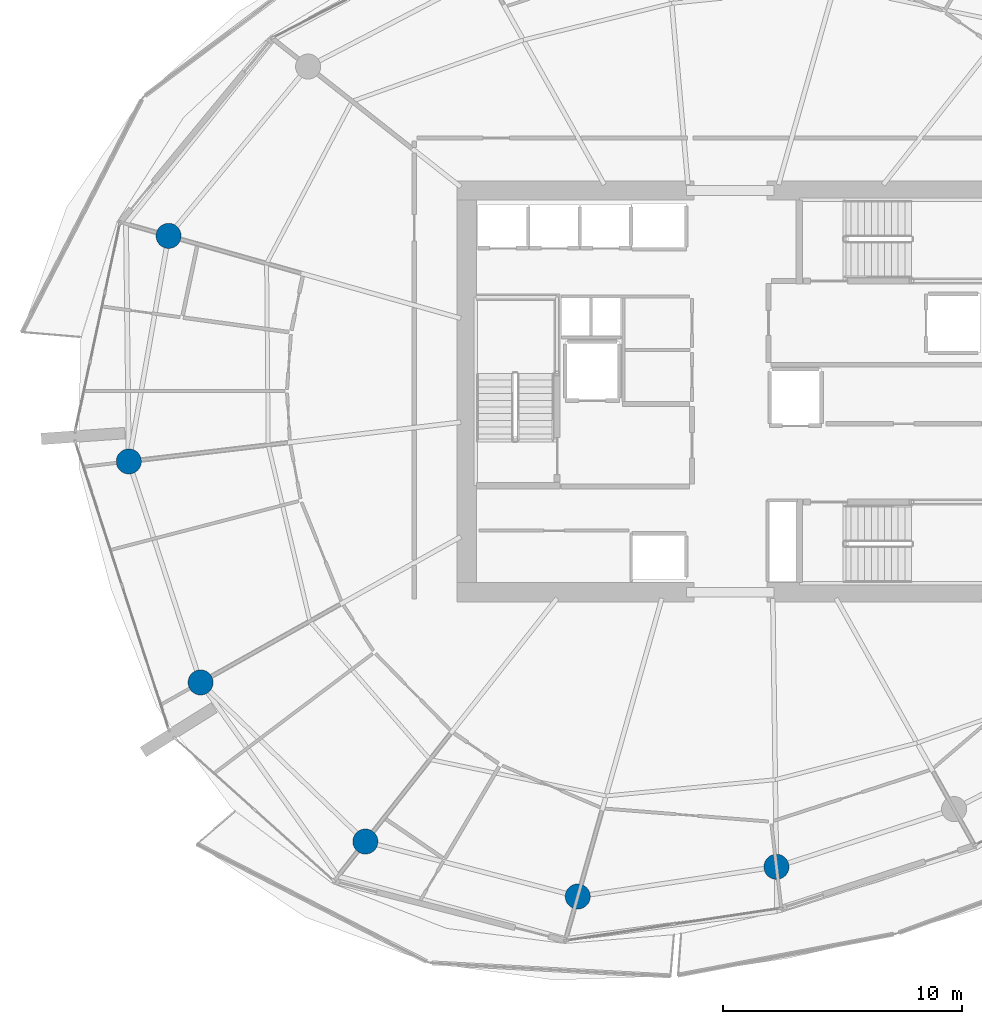
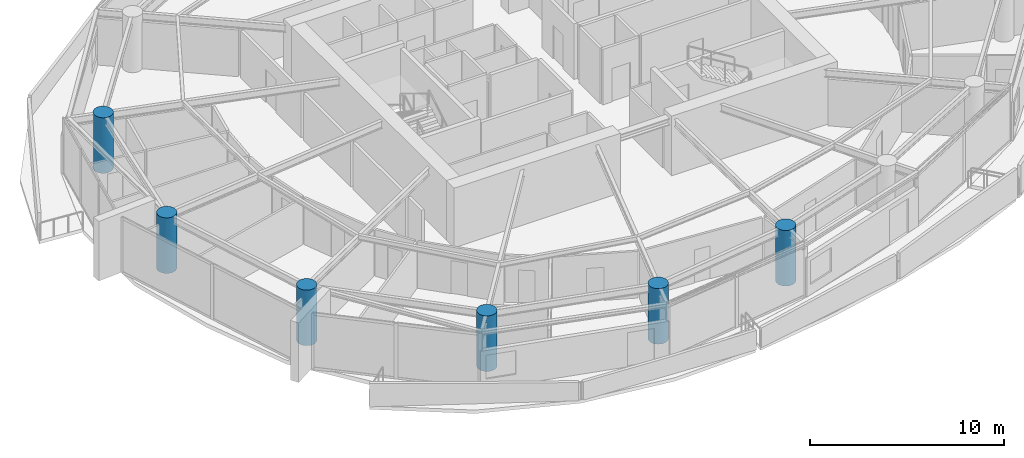
# One storey, part 1 of 20: 6 columns.
"""IFC4 building model written with IfcOpenShell, lengths in metres."""

from ifc_helpers import new_model, si_unit, direction, frame, origin, origin_2d, place, context, subcontext, project, spatial, circle, extrude, material, material_profile, profile_set, type_object, element, save


model = new_model("IFC4")

# Units and contexts
model_context = context("Model", 3, precision=1e-05, world=origin(), true_north=direction((0.0, 1.0)))
body_context = subcontext(model_context, "Body", "Model", "MODEL_VIEW")
ifc_project = project(units=[si_unit("LENGTHUNIT", "METRE"), si_unit("AREAUNIT", "SQUARE_METRE"), si_unit("VOLUMEUNIT", "CUBIC_METRE"), si_unit("PLANEANGLEUNIT", "RADIAN"), si_unit("MASSUNIT", "GRAM", prefix="KILO")], contexts=[model_context])

# Site, building, storey
site_placement = place(None, origin())
site = spatial("IfcSite", under=ifc_project, at=site_placement, CompositionType="ELEMENT")
building_placement = place(site_placement, origin())
building = spatial("IfcBuilding", under=site, at=building_placement, Name="Kazma Halo Residences", CompositionType="ELEMENT")
storey_placement = place(building_placement, frame((0.0, 0.0, 131.550048828125)))
storey = spatial("IfcBuildingStorey", under=building, at=storey_placement, Name="L32", CompositionType="ELEMENT", Elevation=131.550048828125)

# Columns
ifc_material = material(Name="Concrete C80/95", Category="concrete")
ifc_material_profile = material_profile(ifc_material, circle(Radius=0.52490234375, at=origin_2d()), Name="CIRC1050")
ifc_profile_set = profile_set([ifc_material_profile], Name="Concrete C80/95")
column_type = type_object("IfcColumnType", Name="COL-PERIM-1050", PredefinedType="COLUMN", material=ifc_profile_set)
for number, where, z_axis, x_axis, name in (
    (1, (24.93017578125, 48.50634765625, 0.0), (0.0, 0.0, 1.0), (1.0, 0.0, 0.0), "L32 perimeter ring column P07"),
    (2, (23.266845703125, 39.072509765625, 0.0), (0.0, 0.0, 1.0), (1.0, 0.0, 0.0), "L32 perimeter ring column P08"),
    (3, (26.269775390625, 29.83056640625, 0.0), (0.0, 0.0, 1.0), (1.0, 0.0, 0.0), "L32 perimeter ring column P09"),
    (4, (33.160400390625, 23.17626953125, 0.0), (0.0, 0.0, 1.0), (1.0, 0.0, 0.0), "L32 perimeter ring column P10"),
    (5, (42.04296875, 20.878173828125, 0.0), (0.0, 0.0, 1.0), (1.0, 0.0, 0.0), "L32 perimeter ring column P11"),
    (6, (50.35302734375, 22.118896484375, 0.0), (0.0, 0.0, 1.0), (1.0, 0.0, 0.0), "L32 perimeter ring column P12"),
):
    element("IfcColumn", number, at=place(storey_placement, frame(where, z_axis=z_axis, x_axis=x_axis)), inside=storey, type_object=column_type, Name=name, PredefinedType="COLUMN", context=body_context, shape_type="SweptSolid", body=[
        extrude(circle(Radius=0.52490234375, at=origin_2d()), origin(), (0.0, 0.0, 1.0), 3.5),
    ])

save(model, "model.ifc")
